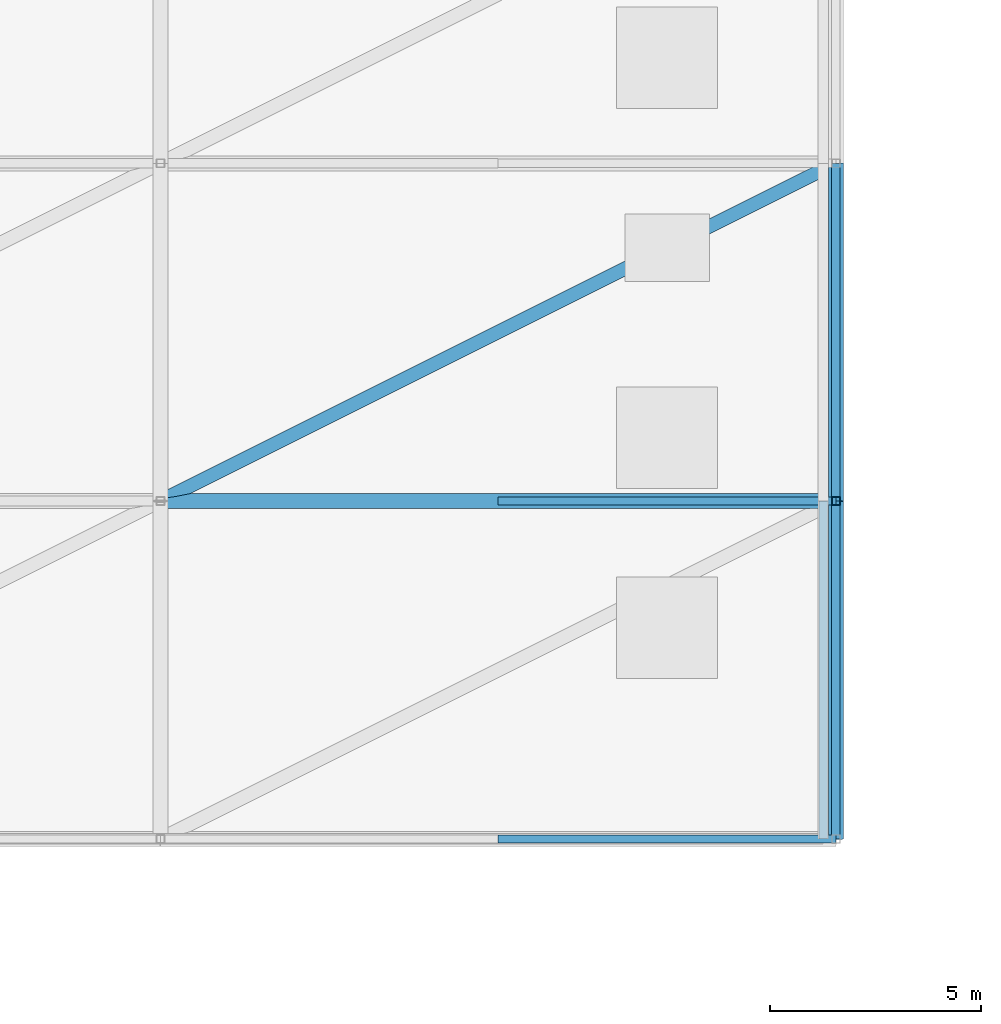
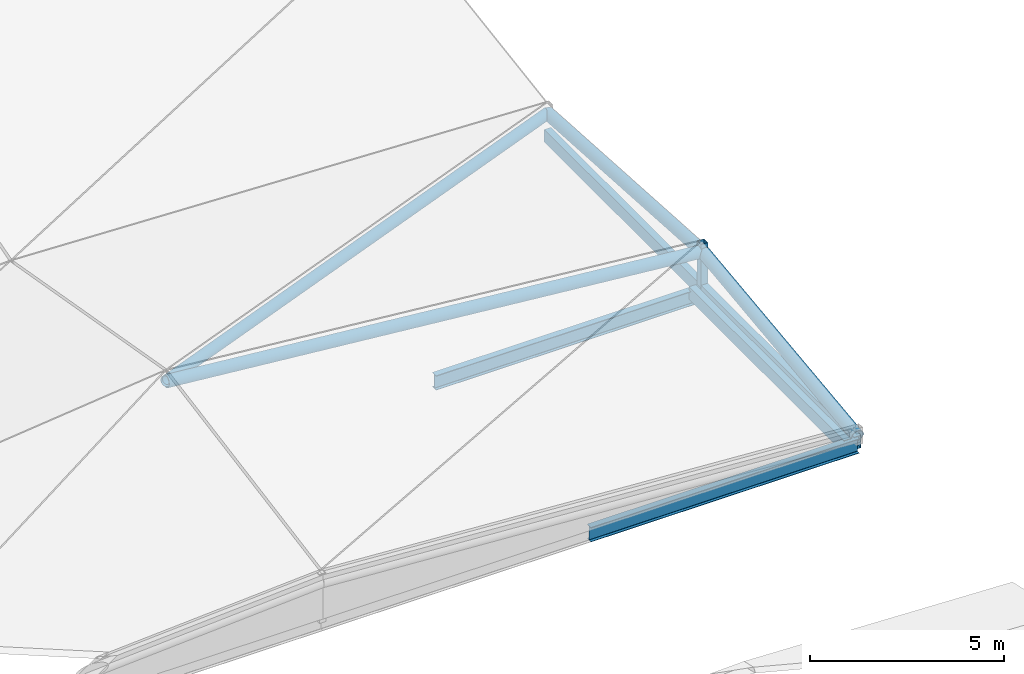
# One storey, part 22 of 44: 8 beams, 2 members.
"""IFC4 building model written with IfcOpenShell, lengths in metres."""

from ifc_helpers import new_model, si_unit, direction, frame, origin, origin_2d, place, context, subcontext, project, spatial, hollow_rectangle, hollow_circle, i_section, extrude, material, material_profile, profile_set, type_object, element, save


model = new_model("IFC4")

# Units and contexts
model_context = context("Model", 3, precision=1e-05, world=origin(), true_north=direction((0.0, 1.0)))
body_context = subcontext(model_context, "Body", "Model", "MODEL_VIEW")
ifc_project = project(units=[si_unit("LENGTHUNIT", "METRE"), si_unit("AREAUNIT", "SQUARE_METRE"), si_unit("VOLUMEUNIT", "CUBIC_METRE"), si_unit("PLANEANGLEUNIT", "RADIAN"), si_unit("MASSUNIT", "GRAM", prefix="KILO")], contexts=[model_context])

# Site, building, storey
site_placement = place(None, origin())
site = spatial("IfcSite", under=ifc_project, at=site_placement, CompositionType="ELEMENT")
building_placement = place(site_placement, origin())
building = spatial("IfcBuilding", under=site, at=building_placement, Name="Tenunan Teduh Sports Hall", CompositionType="ELEMENT")
storey_placement = place(building_placement, frame((0.0, 0.0, 19.199951171875)))
storey = spatial("IfcBuildingStorey", under=building, at=storey_placement, Name="L04", CompositionType="ELEMENT", Elevation=19.199951171875)

# Beams
ifc_material_1 = material(Name="Steel S355", Category="steel")
ifc_material_profile_1 = material_profile(ifc_material_1, hollow_circle(Radius=0.177734375, WallThickness=0.012451171875, at=origin_2d()), Name="CHS 355.6x12.5")
ifc_profile_set_1 = profile_set([ifc_material_profile_1], Name="Steel S355")
beam_type_1 = type_object("IfcBeamType", Name="GSB-CHS356", PredefinedType="BEAM", material=ifc_profile_set_1)
beam_1_placement = place(storey_placement, frame((154.0, 46.0, -0.179931640625), z_axis=(0.0, 0.992729723764, 0.120364843522), x_axis=(-1.0, 0.0, 0.0)))
element("IfcBeam", 1, at=beam_1_placement, inside=storey, type_object=beam_type_1, Name="Gridshell Vault Arch BM-GR-04-L04-0476", PredefinedType="BEAM", context=body_context, shape_type="SweptSolid", body=[
    extrude(hollow_circle(Radius=0.177734375, WallThickness=0.012451171875, at=origin_2d()), origin(), (0.0, 0.0, 1.0), 8.05859375),
])
beam_2_placement = place(storey_placement, frame((154.0, 54.0, 0.7900390625), z_axis=(-0.995634226059, 0.0, 0.093340708693), x_axis=(0.0, -1.0, 0.0)))
element("IfcBeam", 2, at=beam_2_placement, inside=storey, type_object=beam_type_1, Name="Gridshell Vault Arch BM-GR-04-L04-0477", PredefinedType="BEAM", context=body_context, shape_type="SweptSolid", body=[
    extrude(hollow_circle(Radius=0.177734375, WallThickness=0.012451171875, at=origin_2d()), origin(), (0.0, 0.0, 1.0), 16.070068359375),
])
beam_3_placement = place(storey_placement, frame((154.0, 54.0, 0.7900390625), z_axis=(0.0, 0.998052578483, -0.062378286155), x_axis=(-1.0, 0.0, 0.0)))
element("IfcBeam", 3, at=beam_3_placement, inside=storey, type_object=beam_type_1, Name="Gridshell Vault Arch BM-GR-04-L04-0481", PredefinedType="BEAM", context=body_context, shape_type="SweptSolid", body=[
    extrude(hollow_circle(Radius=0.177734375, WallThickness=0.012451171875, at=origin_2d()), origin(), (0.0, 0.0, 1.0), 8.015625),
])

# Members
ifc_material_2 = material(Name="Steel S355", Category="steel")
ifc_material_profile_2 = material_profile(ifc_material_2, hollow_circle(Radius=0.161865234375, WallThickness=0.012451171875, at=origin_2d()), Name="CHS 323.9x12.5")
ifc_profile_set_2 = profile_set([ifc_material_profile_2], Name="Steel S355")
member_type_1 = type_object("IfcMemberType", Name="MEM-CH-CHS324", PredefinedType="CHORD", material=ifc_profile_set_2)
member_1_placement = place(storey_placement, frame((138.0, 54.0, 2.2900390625), z_axis=(0.888888888889, 0.444444444444, -0.111111111111), x_axis=(-0.4472135955, 0.894427191, 0.0)))
element("IfcMember", 4, at=member_1_placement, inside=storey, type_object=member_type_1, Name="MEM-GC-02-L04-0850", PredefinedType="CHORD", context=body_context, shape_type="SweptSolid", body=[
    extrude(hollow_circle(Radius=0.161865234375, WallThickness=0.012451171875, at=origin_2d()), origin(), (0.0, 0.0, 1.0), 18.0),
])
ifc_material_3 = material(Name="Steel S355", Category="steel")
ifc_material_profile_3 = material_profile(ifc_material_3, hollow_rectangle(XDim=0.199951171875, YDim=0.199951171875, WallThickness=0.010009765625, at=origin_2d()), Name="SHS 200x200x10.0")
ifc_profile_set_3 = profile_set([ifc_material_profile_3], Name="Steel S355")
member_type_2 = type_object("IfcMemberType", Name="MEM-ST-SHS200", PredefinedType="STRUT", material=ifc_profile_set_3)
member_2_placement = place(storey_placement, frame((154.0, 54.0, -0.39990234375), z_axis=(0.0, 0.0, 1.0), x_axis=(1.0, 0.0, 0.0)))
element("IfcMember", 5, at=member_2_placement, inside=storey, type_object=member_type_2, Name="MEM-VS-02-L04-0837", PredefinedType="STRUT", context=body_context, shape_type="SweptSolid", body=[
    extrude(hollow_rectangle(XDim=0.199951171875, YDim=0.199951171875, WallThickness=0.010009765625, at=origin_2d()), origin(), (0.0, 0.0, 1.0), 1.489990234375),
])

# Beams
ifc_material_4 = material(Name="Steel S355", Category="steel")
ifc_material_profile_4 = material_profile(ifc_material_4, hollow_rectangle(XDim=0.199951171875, YDim=0.39990234375, WallThickness=0.012451171875, at=origin_2d()), Name="RHS 400x200x12.5")
ifc_profile_set_4 = profile_set([ifc_material_profile_4], Name="Steel S355")
beam_type_2 = type_object("IfcBeamType", Name="RBM-RHS400", PredefinedType="SPANDREL", material=ifc_profile_set_4)
for number, where, z_axis, x_axis, name in (
    (6, (154.0, 46.0, -0.389892578125), (0.0, 1.0, 0.0), (-1.0, 0.0, 0.0), "Perimeter Ring Beam BM-RB-02-L04-0467"),
    (7, (154.0, 54.0, -0.389892578125), (0.0, 1.0, 0.0), (-1.0, 0.0, 0.0), "Perimeter Ring Beam BM-RB-02-L04-0468"),
    (8, (153.697265625, 46.0, -0.389892578125), (0.0, 1.0, 0.0), (-1.0, 0.0, 0.0), "Perimeter Ring Beam BM-RB-02-L04-2536"),
):
    element("IfcBeam", number, at=place(storey_placement, frame(where, z_axis=z_axis, x_axis=x_axis)), inside=storey, type_object=beam_type_2, Name=name, PredefinedType="SPANDREL", context=body_context, shape_type="SweptSolid", body=[
        extrude(hollow_rectangle(XDim=0.199951171875, YDim=0.39990234375, WallThickness=0.012451171875, at=origin_2d()), origin(), (0.0, 0.0, 1.0), 8.0),
    ])
ifc_material_5 = material(Name="Steel S355", Category="steel")
ifc_material_profile_5 = material_profile(ifc_material_5, i_section(OverallWidth=0.1904296875, OverallDepth=0.45703125, WebThickness=0.009033203125, FlangeThickness=0.014404296875, FilletRadius=0.01025390625, at=origin_2d()), Name="UKB 457x191x74")
ifc_profile_set_5 = profile_set([ifc_material_profile_5], Name="Steel S355")
beam_type_3 = type_object("IfcBeamType", Name="SBM-UKB457", PredefinedType="BEAM", material=ifc_profile_set_5)
for number, where, z_axis, x_axis, name in (
    (9, (146.0, 46.0, -0.43994140625), (1.0, 0.0, 0.0), (0.0, 1.0, 0.0), "BM-SB-04-L04-0452"),
    (10, (146.0, 54.0, -0.510009765625), (1.0, 0.0, 0.0), (0.0, 1.0, 0.0), "BM-SB-04-L04-0458"),
):
    element("IfcBeam", number, at=place(storey_placement, frame(where, z_axis=z_axis, x_axis=x_axis)), inside=storey, type_object=beam_type_3, Name=name, PredefinedType="BEAM", context=body_context, shape_type="SweptSolid", body=[
        extrude(i_section(OverallWidth=0.1904296875, OverallDepth=0.45703125, WebThickness=0.009033203125, FlangeThickness=0.014404296875, FilletRadius=0.01025390625, at=origin_2d()), origin(), (0.0, 0.0, 1.0), 8.0),
    ])

save(model, "model.ifc")
